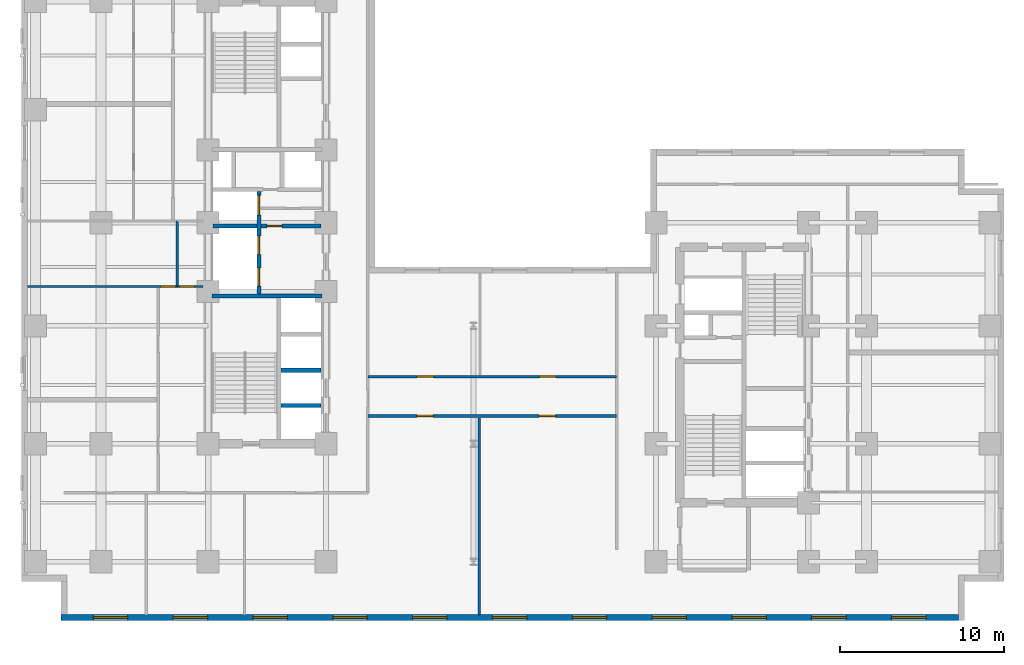
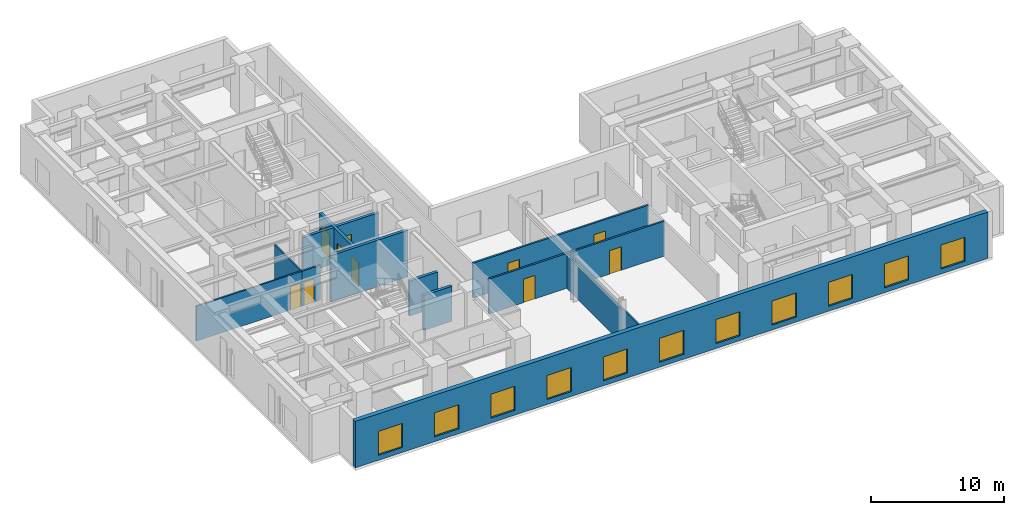
# One storey, part 3 of 9: 12 walls, 11 windows, 10 doors, 21 openings.
"""IFC4 building model written with IfcOpenShell, lengths in metres."""

from ifc_helpers import new_model, entity, si_unit, converted_unit, direction, frame, origin_with_axes, origin_2d_with_axis, place, context, subcontext, project, spatial, polyline, rectangle, outline, extrude, material, layer, layer_set, type_object, element, fill, save


model = new_model("IFC4")

# Units and contexts
model_context = context("Model", 3, precision=1e-05, world=origin_with_axes(), true_north=direction((0.0, 1.0)))
body_context = subcontext(model_context, "Body", "Model", "MODEL_VIEW")
ifc_project = project(units=[si_unit("LENGTHUNIT", "METRE"), si_unit("AREAUNIT", "SQUARE_METRE"), si_unit("VOLUMEUNIT", "CUBIC_METRE"), converted_unit("PLANEANGLEUNIT", "DEGREE", entity("IfcPlaneAngleMeasure", 0.017453292519943295), si_unit("PLANEANGLEUNIT", "RADIAN"), dimensions=[0, 0, 0, 0, 0, 0, 0]), si_unit("MASSUNIT", "GRAM", prefix="KILO"), si_unit("THERMODYNAMICTEMPERATUREUNIT", "KELVIN")], contexts=[model_context])

# Site, building, storey
site_placement = place(None, origin_with_axes())
site = spatial("IfcSite", under=ifc_project, at=site_placement, CompositionType="ELEMENT")
building_placement = place(site_placement, origin_with_axes())
building = spatial("IfcBuilding", under=site, at=building_placement, Name="Varnlund Millrace Tower", CompositionType="ELEMENT")
storey_placement = place(building_placement, frame((0.0, 0.0, 84.6), z_axis=(0.0, 0.0, 1.0), x_axis=(1.0, 0.0, 0.0)))
storey = spatial("IfcBuildingStorey", under=building, at=storey_placement, Name="L20", CompositionType="ELEMENT", Elevation=84.6)

# Wall, openings, windows
ifc_material_1 = material(Name="Precast concrete C50/60", Category="concrete")
ifc_layer_1 = layer(ifc_material_1, 0.38, Name="Precast concrete C50/60")
ifc_layer_set_1 = layer_set([ifc_layer_1], Name="Precast concrete C50/60")
wall_type_1 = type_object("IfcWallType", Name="Type-ExtWall-Precast-Tube-380", PredefinedType="SOLIDWALL", material=ifc_layer_set_1)
wall_1_placement = place(storey_placement, frame((57.22, 0.19, 0.0), z_axis=(0.0, 0.0, 1.0), x_axis=(-1.0, 0.0, 0.0)))
wall_1 = element("IfcWall", 1, at=wall_1_placement, inside=storey, type_object=wall_type_1, Name="Type-ExtWall-Precast-Tube-380", PredefinedType="SOLIDWALL", context=body_context, shape_type="SweptSolid", body=[
    extrude(outline(polyline([(0.0, -0.19), (54.82, -0.19), (54.82, 0.19), (0.0, 0.19), (0.0, -0.19)])), origin_with_axes(), (0.0, 0.0, 1.0), 4.26),
])
opening_1_placement = place(wall_1_placement, frame((3.037, 0.0, 0.45), z_axis=(0.0, 0.0, 1.0), x_axis=(1.0, 0.0, 0.0)))
opening_1 = element("IfcOpeningElement", 2, at=opening_1_placement, cuts=wall_1, Name="Opening L20:WN-06", PredefinedType="OPENING", context=body_context, shape_type="SweptSolid", body=[
    extrude(rectangle(XDim=2.1, YDim=0.4, at=origin_2d_with_axis()), origin_with_axes(), (0.0, 0.0, 1.0), 2.2),
])
opening_2_placement = place(wall_1_placement, frame((7.912, 0.0, 0.45), z_axis=(0.0, 0.0, 1.0), x_axis=(1.0, 0.0, 0.0)))
opening_2 = element("IfcOpeningElement", 3, at=opening_2_placement, cuts=wall_1, Name="Opening L20:WN-07", PredefinedType="OPENING", context=body_context, shape_type="SweptSolid", body=[
    extrude(rectangle(XDim=2.1, YDim=0.4, at=origin_2d_with_axis()), origin_with_axes(), (0.0, 0.0, 1.0), 2.2),
])
opening_3_placement = place(wall_1_placement, frame((12.786, 0.0, 0.45), z_axis=(0.0, 0.0, 1.0), x_axis=(1.0, 0.0, 0.0)))
opening_3 = element("IfcOpeningElement", 4, at=opening_3_placement, cuts=wall_1, Name="Opening L20:WN-08", PredefinedType="OPENING", context=body_context, shape_type="SweptSolid", body=[
    extrude(rectangle(XDim=2.1, YDim=0.4, at=origin_2d_with_axis()), origin_with_axes(), (0.0, 0.0, 1.0), 2.2),
])
opening_4_placement = place(wall_1_placement, frame((17.661, 0.0, 0.45), z_axis=(0.0, 0.0, 1.0), x_axis=(1.0, 0.0, 0.0)))
opening_4 = element("IfcOpeningElement", 5, at=opening_4_placement, cuts=wall_1, Name="Opening L20:WN-09", PredefinedType="OPENING", context=body_context, shape_type="SweptSolid", body=[
    extrude(rectangle(XDim=2.1, YDim=0.4, at=origin_2d_with_axis()), origin_with_axes(), (0.0, 0.0, 1.0), 2.2),
])
opening_5_placement = place(wall_1_placement, frame((22.535, 0.0, 0.45), z_axis=(0.0, 0.0, 1.0), x_axis=(1.0, 0.0, 0.0)))
opening_5 = element("IfcOpeningElement", 6, at=opening_5_placement, cuts=wall_1, Name="Opening L20:WN-10", PredefinedType="OPENING", context=body_context, shape_type="SweptSolid", body=[
    extrude(rectangle(XDim=2.1, YDim=0.4, at=origin_2d_with_axis()), origin_with_axes(), (0.0, 0.0, 1.0), 2.2),
])
opening_6_placement = place(wall_1_placement, frame((27.41, 0.0, 0.45), z_axis=(0.0, 0.0, 1.0), x_axis=(1.0, 0.0, 0.0)))
opening_6 = element("IfcOpeningElement", 7, at=opening_6_placement, cuts=wall_1, Name="Opening L20:WN-11", PredefinedType="OPENING", context=body_context, shape_type="SweptSolid", body=[
    extrude(rectangle(XDim=2.1, YDim=0.4, at=origin_2d_with_axis()), origin_with_axes(), (0.0, 0.0, 1.0), 2.2),
])
opening_7_placement = place(wall_1_placement, frame((32.285, 0.0, 0.45), z_axis=(0.0, 0.0, 1.0), x_axis=(1.0, 0.0, 0.0)))
opening_7 = element("IfcOpeningElement", 8, at=opening_7_placement, cuts=wall_1, Name="Opening L20:WN-12", PredefinedType="OPENING", context=body_context, shape_type="SweptSolid", body=[
    extrude(rectangle(XDim=2.1, YDim=0.4, at=origin_2d_with_axis()), origin_with_axes(), (0.0, 0.0, 1.0), 2.2),
])
opening_8_placement = place(wall_1_placement, frame((37.159, 0.0, 0.45), z_axis=(0.0, 0.0, 1.0), x_axis=(1.0, 0.0, 0.0)))
opening_8 = element("IfcOpeningElement", 9, at=opening_8_placement, cuts=wall_1, Name="Opening L20:WN-13", PredefinedType="OPENING", context=body_context, shape_type="SweptSolid", body=[
    extrude(rectangle(XDim=2.1, YDim=0.4, at=origin_2d_with_axis()), origin_with_axes(), (0.0, 0.0, 1.0), 2.2),
])
opening_9_placement = place(wall_1_placement, frame((42.034, 0.0, 0.45), z_axis=(0.0, 0.0, 1.0), x_axis=(1.0, 0.0, 0.0)))
opening_9 = element("IfcOpeningElement", 10, at=opening_9_placement, cuts=wall_1, Name="Opening L20:WN-14", PredefinedType="OPENING", context=body_context, shape_type="SweptSolid", body=[
    extrude(rectangle(XDim=2.1, YDim=0.4, at=origin_2d_with_axis()), origin_with_axes(), (0.0, 0.0, 1.0), 2.2),
])
opening_10_placement = place(wall_1_placement, frame((46.908, 0.0, 0.45), z_axis=(0.0, 0.0, 1.0), x_axis=(1.0, 0.0, 0.0)))
opening_10 = element("IfcOpeningElement", 11, at=opening_10_placement, cuts=wall_1, Name="Opening L20:WN-15", PredefinedType="OPENING", context=body_context, shape_type="SweptSolid", body=[
    extrude(rectangle(XDim=2.1, YDim=0.4, at=origin_2d_with_axis()), origin_with_axes(), (0.0, 0.0, 1.0), 2.2),
])
opening_11_placement = place(wall_1_placement, frame((51.783, 0.0, 0.45), z_axis=(0.0, 0.0, 1.0), x_axis=(1.0, 0.0, 0.0)))
opening_11 = element("IfcOpeningElement", 12, at=opening_11_placement, cuts=wall_1, Name="Opening L20:WN-16", PredefinedType="OPENING", context=body_context, shape_type="SweptSolid", body=[
    extrude(rectangle(XDim=2.1, YDim=0.4, at=origin_2d_with_axis()), origin_with_axes(), (0.0, 0.0, 1.0), 2.2),
])
ifc_material_2 = material(Name="Argon low-e triple glazing in thermally broken bronze frame", Category="glass")
window_type = type_object("IfcWindowType", Name="Type-Window-Punched-2100X2200", PartitioningType="SINGLE_PANEL", PredefinedType="WINDOW", material=ifc_material_2)
window_1_placement = place(wall_1_placement, frame((3.037, 0.0, 0.45), z_axis=(0.0, 0.0, 1.0), x_axis=(1.0, 0.0, 0.0)))
window_1 = element("IfcWindow", 13, at=window_1_placement, inside=storey, type_object=window_type, Name="Type-Window-Punched-2100X2200", OverallHeight=2.2, OverallWidth=2.1, PredefinedType="WINDOW", context=body_context, shape_type="SweptSolid", body=[
    extrude(rectangle(XDim=2.1, YDim=0.09, at=origin_2d_with_axis()), origin_with_axes(), (0.0, 0.0, 1.0), 2.2),
])
fill(opening_1, window_1)
window_2_placement = place(wall_1_placement, frame((7.912, 0.0, 0.45), z_axis=(0.0, 0.0, 1.0), x_axis=(1.0, 0.0, 0.0)))
window_2 = element("IfcWindow", 14, at=window_2_placement, inside=storey, type_object=window_type, Name="Type-Window-Punched-2100X2200", OverallHeight=2.2, OverallWidth=2.1, PredefinedType="WINDOW", context=body_context, shape_type="SweptSolid", body=[
    extrude(rectangle(XDim=2.1, YDim=0.09, at=origin_2d_with_axis()), origin_with_axes(), (0.0, 0.0, 1.0), 2.2),
])
fill(opening_2, window_2)
window_3_placement = place(wall_1_placement, frame((12.786, 0.0, 0.45), z_axis=(0.0, 0.0, 1.0), x_axis=(1.0, 0.0, 0.0)))
window_3 = element("IfcWindow", 15, at=window_3_placement, inside=storey, type_object=window_type, Name="Type-Window-Punched-2100X2200", OverallHeight=2.2, OverallWidth=2.1, PredefinedType="WINDOW", context=body_context, shape_type="SweptSolid", body=[
    extrude(rectangle(XDim=2.1, YDim=0.09, at=origin_2d_with_axis()), origin_with_axes(), (0.0, 0.0, 1.0), 2.2),
])
fill(opening_3, window_3)
window_4_placement = place(wall_1_placement, frame((17.661, 0.0, 0.45), z_axis=(0.0, 0.0, 1.0), x_axis=(1.0, 0.0, 0.0)))
window_4 = element("IfcWindow", 16, at=window_4_placement, inside=storey, type_object=window_type, Name="Type-Window-Punched-2100X2200", OverallHeight=2.2, OverallWidth=2.1, PredefinedType="WINDOW", context=body_context, shape_type="SweptSolid", body=[
    extrude(rectangle(XDim=2.1, YDim=0.09, at=origin_2d_with_axis()), origin_with_axes(), (0.0, 0.0, 1.0), 2.2),
])
fill(opening_4, window_4)
window_5_placement = place(wall_1_placement, frame((22.535, 0.0, 0.45), z_axis=(0.0, 0.0, 1.0), x_axis=(1.0, 0.0, 0.0)))
window_5 = element("IfcWindow", 17, at=window_5_placement, inside=storey, type_object=window_type, Name="Type-Window-Punched-2100X2200", OverallHeight=2.2, OverallWidth=2.1, PredefinedType="WINDOW", context=body_context, shape_type="SweptSolid", body=[
    extrude(rectangle(XDim=2.1, YDim=0.09, at=origin_2d_with_axis()), origin_with_axes(), (0.0, 0.0, 1.0), 2.2),
])
fill(opening_5, window_5)
window_6_placement = place(wall_1_placement, frame((27.41, 0.0, 0.45), z_axis=(0.0, 0.0, 1.0), x_axis=(1.0, 0.0, 0.0)))
window_6 = element("IfcWindow", 18, at=window_6_placement, inside=storey, type_object=window_type, Name="Type-Window-Punched-2100X2200", OverallHeight=2.2, OverallWidth=2.1, PredefinedType="WINDOW", context=body_context, shape_type="SweptSolid", body=[
    extrude(rectangle(XDim=2.1, YDim=0.09, at=origin_2d_with_axis()), origin_with_axes(), (0.0, 0.0, 1.0), 2.2),
])
fill(opening_6, window_6)
window_7_placement = place(wall_1_placement, frame((32.285, 0.0, 0.45), z_axis=(0.0, 0.0, 1.0), x_axis=(1.0, 0.0, 0.0)))
window_7 = element("IfcWindow", 19, at=window_7_placement, inside=storey, type_object=window_type, Name="Type-Window-Punched-2100X2200", OverallHeight=2.2, OverallWidth=2.1, PredefinedType="WINDOW", context=body_context, shape_type="SweptSolid", body=[
    extrude(rectangle(XDim=2.1, YDim=0.09, at=origin_2d_with_axis()), origin_with_axes(), (0.0, 0.0, 1.0), 2.2),
])
fill(opening_7, window_7)
window_8_placement = place(wall_1_placement, frame((37.159, 0.0, 0.45), z_axis=(0.0, 0.0, 1.0), x_axis=(1.0, 0.0, 0.0)))
window_8 = element("IfcWindow", 20, at=window_8_placement, inside=storey, type_object=window_type, Name="Type-Window-Punched-2100X2200", OverallHeight=2.2, OverallWidth=2.1, PredefinedType="WINDOW", context=body_context, shape_type="SweptSolid", body=[
    extrude(rectangle(XDim=2.1, YDim=0.09, at=origin_2d_with_axis()), origin_with_axes(), (0.0, 0.0, 1.0), 2.2),
])
fill(opening_8, window_8)
window_9_placement = place(wall_1_placement, frame((42.034, 0.0, 0.45), z_axis=(0.0, 0.0, 1.0), x_axis=(1.0, 0.0, 0.0)))
window_9 = element("IfcWindow", 21, at=window_9_placement, inside=storey, type_object=window_type, Name="Type-Window-Punched-2100X2200", OverallHeight=2.2, OverallWidth=2.1, PredefinedType="WINDOW", context=body_context, shape_type="SweptSolid", body=[
    extrude(rectangle(XDim=2.1, YDim=0.09, at=origin_2d_with_axis()), origin_with_axes(), (0.0, 0.0, 1.0), 2.2),
])
fill(opening_9, window_9)
window_10_placement = place(wall_1_placement, frame((46.908, 0.0, 0.45), z_axis=(0.0, 0.0, 1.0), x_axis=(1.0, 0.0, 0.0)))
window_10 = element("IfcWindow", 22, at=window_10_placement, inside=storey, type_object=window_type, Name="Type-Window-Punched-2100X2200", OverallHeight=2.2, OverallWidth=2.1, PredefinedType="WINDOW", context=body_context, shape_type="SweptSolid", body=[
    extrude(rectangle(XDim=2.1, YDim=0.09, at=origin_2d_with_axis()), origin_with_axes(), (0.0, 0.0, 1.0), 2.2),
])
fill(opening_10, window_10)
window_11_placement = place(wall_1_placement, frame((51.783, 0.0, 0.45), z_axis=(0.0, 0.0, 1.0), x_axis=(1.0, 0.0, 0.0)))
window_11 = element("IfcWindow", 23, at=window_11_placement, inside=storey, type_object=window_type, Name="Type-Window-Punched-2100X2200", OverallHeight=2.2, OverallWidth=2.1, PredefinedType="WINDOW", context=body_context, shape_type="SweptSolid", body=[
    extrude(rectangle(XDim=2.1, YDim=0.09, at=origin_2d_with_axis()), origin_with_axes(), (0.0, 0.0, 1.0), 2.2),
])
fill(opening_11, window_11)

# Wall, openings, doors
ifc_material_3 = material(Name="Fire-rated gypsum board on cold-formed steel framing", Category="steel")
ifc_layer_2 = layer(ifc_material_3, 0.16, Name="Fire-rated gypsum board on cold-formed steel framing")
ifc_layer_set_2 = layer_set([ifc_layer_2], Name="Fire-rated gypsum board on cold-formed steel framing")
wall_type_2 = type_object("IfcWallType", Name="Type-Partition-Corridor-160", PredefinedType="PARTITIONING", material=ifc_layer_set_2)
wall_2_placement = place(storey_placement, frame((21.15, 12.5, 0.0), z_axis=(0.0, 0.0, 1.0), x_axis=(1.0, 0.0, 0.0)))
wall_2 = element("IfcWall", 24, at=wall_2_placement, inside=storey, type_object=wall_type_2, Name="Type-Partition-Corridor-160", PredefinedType="PARTITIONING", context=body_context, shape_type="SweptSolid", body=[
    extrude(outline(polyline([(0.0, -0.08), (15.2, -0.08), (15.2, 0.08), (0.0, 0.08), (0.0, -0.08)])), origin_with_axes(), (0.0, 0.0, 1.0), 3.2),
])
opening_12_placement = place(wall_2_placement, frame((3.4915, 0.0, 0.0), z_axis=(0.0, 0.0, 1.0), x_axis=(1.0, 0.0, 0.0)))
opening_12 = element("IfcOpeningElement", 25, at=opening_12_placement, cuts=wall_2, Name="Opening L20:DR-KNS-01", PredefinedType="OPENING", context=body_context, shape_type="SweptSolid", body=[
    extrude(rectangle(XDim=1.0, YDim=0.18, at=origin_2d_with_axis()), origin_with_axes(), (0.0, 0.0, 1.0), 2.15),
])
opening_13_placement = place(wall_2_placement, frame((10.9615, 0.0, 0.0), z_axis=(0.0, 0.0, 1.0), x_axis=(1.0, 0.0, 0.0)))
opening_13 = element("IfcOpeningElement", 26, at=opening_13_placement, cuts=wall_2, Name="Opening L20:DR-KNS-02", PredefinedType="OPENING", context=body_context, shape_type="SweptSolid", body=[
    extrude(rectangle(XDim=1.0, YDim=0.18, at=origin_2d_with_axis()), origin_with_axes(), (0.0, 0.0, 1.0), 2.15),
])
ifc_material_4 = material(Name="Solid-core white oak and bronze frame door")
door_type_1 = type_object("IfcDoorType", Name="Type-IntDoor-Office-1000X2150", OperationType="NOTDEFINED", PredefinedType="DOOR", material=ifc_material_4)
door_1_placement = place(wall_2_placement, frame((3.4915, 0.0, 0.0), z_axis=(0.0, 0.0, 1.0), x_axis=(1.0, 0.0, 0.0)))
door_1 = element("IfcDoor", 27, at=door_1_placement, inside=storey, type_object=door_type_1, Name="Type-IntDoor-Office-1000X2150", OperationType="SINGLE_SWING_LEFT", OverallHeight=2.15, OverallWidth=1.0, PredefinedType="DOOR", context=body_context, shape_type="SweptSolid", body=[
    extrude(rectangle(XDim=1.0, YDim=0.09, at=origin_2d_with_axis()), origin_with_axes(), (0.0, 0.0, 1.0), 2.15),
])
fill(opening_12, door_1)
door_2_placement = place(wall_2_placement, frame((10.9615, 0.0, 0.0), z_axis=(0.0, 0.0, 1.0), x_axis=(1.0, 0.0, 0.0)))
door_2 = element("IfcDoor", 28, at=door_2_placement, inside=storey, type_object=door_type_1, Name="Type-IntDoor-Office-1000X2150", OperationType="SINGLE_SWING_RIGHT", OverallHeight=2.15, OverallWidth=1.0, PredefinedType="DOOR", context=body_context, shape_type="SweptSolid", body=[
    extrude(rectangle(XDim=1.0, YDim=0.09, at=origin_2d_with_axis()), origin_with_axes(), (0.0, 0.0, 1.0), 2.15),
])
fill(opening_13, door_2)

wall_3_placement = place(storey_placement, frame((21.15, 14.9, 0.0), z_axis=(0.0, 0.0, 1.0), x_axis=(1.0, 0.0, 0.0)))
wall_3 = element("IfcWall", 29, at=wall_3_placement, inside=storey, type_object=wall_type_2, Name="Type-Partition-Corridor-160", PredefinedType="PARTITIONING", context=body_context, shape_type="SweptSolid", body=[
    extrude(outline(polyline([(0.0, -0.08), (15.2, -0.08), (15.2, 0.08), (0.0, 0.08), (0.0, -0.08)])), origin_with_axes(), (0.0, 0.0, 1.0), 3.2),
])
opening_14_placement = place(wall_3_placement, frame((3.5155, 0.0, 0.0), z_axis=(0.0, 0.0, 1.0), x_axis=(1.0, 0.0, 0.0)))
opening_14 = element("IfcOpeningElement", 30, at=opening_14_placement, cuts=wall_3, Name="Opening L20:DR-KN-01", PredefinedType="OPENING", context=body_context, shape_type="SweptSolid", body=[
    extrude(rectangle(XDim=1.0, YDim=0.18, at=origin_2d_with_axis()), origin_with_axes(), (0.0, 0.0, 1.0), 2.15),
])
opening_15_placement = place(wall_3_placement, frame((10.9855, 0.0, 0.0), z_axis=(0.0, 0.0, 1.0), x_axis=(1.0, 0.0, 0.0)))
opening_15 = element("IfcOpeningElement", 31, at=opening_15_placement, cuts=wall_3, Name="Opening L20:DR-KN-02", PredefinedType="OPENING", context=body_context, shape_type="SweptSolid", body=[
    extrude(rectangle(XDim=1.0, YDim=0.18, at=origin_2d_with_axis()), origin_with_axes(), (0.0, 0.0, 1.0), 2.15),
])
door_3_placement = place(wall_3_placement, frame((3.5155, 0.0, 0.0), z_axis=(0.0, 0.0, 1.0), x_axis=(1.0, 0.0, 0.0)))
door_3 = element("IfcDoor", 32, at=door_3_placement, inside=storey, type_object=door_type_1, Name="Type-IntDoor-Office-1000X2150", OperationType="SINGLE_SWING_LEFT", OverallHeight=2.15, OverallWidth=1.0, PredefinedType="DOOR", context=body_context, shape_type="SweptSolid", body=[
    extrude(rectangle(XDim=1.0, YDim=0.09, at=origin_2d_with_axis()), origin_with_axes(), (0.0, 0.0, 1.0), 2.15),
])
fill(opening_14, door_3)
door_4_placement = place(wall_3_placement, frame((10.9855, 0.0, 0.0), z_axis=(0.0, 0.0, 1.0), x_axis=(1.0, 0.0, 0.0)))
door_4 = element("IfcDoor", 33, at=door_4_placement, inside=storey, type_object=door_type_1, Name="Type-IntDoor-Office-1000X2150", OperationType="SINGLE_SWING_RIGHT", OverallHeight=2.15, OverallWidth=1.0, PredefinedType="DOOR", context=body_context, shape_type="SweptSolid", body=[
    extrude(rectangle(XDim=1.0, YDim=0.09, at=origin_2d_with_axis()), origin_with_axes(), (0.0, 0.0, 1.0), 2.15),
])
fill(opening_15, door_4)

# Walls
ifc_material_5 = material(Name="Acoustic STC-50 gypsum board partition", Category="gypsum")
ifc_layer_3 = layer(ifc_material_5, 0.15, Name="Acoustic STC-50 gypsum board partition")
ifc_layer_set_3 = layer_set([ifc_layer_3], Name="Acoustic STC-50 gypsum board partition")
wall_type_3 = type_object("IfcWallType", Name="Type-Partition-Demising-150", PredefinedType="PARTITIONING", material=ifc_layer_set_3)
wall_4_placement = place(storey_placement, frame((27.953, 0.36, 0.0), z_axis=(0.0, 0.0, 1.0), x_axis=(0.0, 1.0, 0.0)))
element("IfcWall", 34, at=wall_4_placement, inside=storey, type_object=wall_type_3, Name="Type-Partition-Demising-150", PredefinedType="PARTITIONING", context=body_context, shape_type="SweptSolid", body=[
    extrude(outline(polyline([(0.0, -0.075), (12.02, -0.075), (12.02, 0.075), (0.0, 0.075), (0.0, -0.075)])), origin_with_axes(), (0.0, 0.0, 1.0), 3.2),
])
ifc_material_6 = material(Name="Moisture-resistant gypsum restroom partition", Category="gypsum")
ifc_layer_4 = layer(ifc_material_6, 0.14, Name="Moisture-resistant gypsum restroom partition")
ifc_layer_set_4 = layer_set([ifc_layer_4], Name="Moisture-resistant gypsum restroom partition")
wall_type_4 = type_object("IfcWallType", Name="Type-Partition-Wet-140", PredefinedType="PARTITIONING", material=ifc_layer_set_4)
wall_5_placement = place(storey_placement, frame((9.52, 20.4, 0.0), z_axis=(0.0, 0.0, 1.0), x_axis=(0.0, 1.0, 0.0)))
element("IfcWall", 35, at=wall_5_placement, inside=storey, type_object=wall_type_4, Name="Type-Partition-Wet-140", PredefinedType="PARTITIONING", context=body_context, shape_type="SweptSolid", body=[
    extrude(outline(polyline([(0.0, -0.07), (4.0, -0.07), (4.0, 0.07), (0.0, 0.07), (0.0, -0.07)])), origin_with_axes(), (0.0, 0.0, 1.0), 3.2),
])

# Wall, opening, door
wall_6_placement = place(storey_placement, frame((9.52, 20.4, 0.0), z_axis=(0.0, 0.0, 1.0), x_axis=(1.0, 0.0, 0.0)))
wall_6 = element("IfcWall", 36, at=wall_6_placement, inside=storey, type_object=wall_type_4, Name="Type-Partition-Wet-140", PredefinedType="PARTITIONING", context=body_context, shape_type="SweptSolid", body=[
    extrude(outline(polyline([(0.0, -0.07), (1.58, -0.07), (1.58, 0.07), (0.0, 0.07), (0.0, -0.07)])), origin_with_axes(), (0.0, 0.0, 1.0), 3.2),
])
opening_16_placement = place(wall_6_placement, frame((0.59, 0.0, 0.0), z_axis=(0.0, 0.0, 1.0), x_axis=(1.0, 0.0, 0.0)))
opening_16 = element("IfcOpeningElement", 37, at=opening_16_placement, cuts=wall_6, Name="Opening L20:DR-CA-WCW", PredefinedType="OPENING", context=body_context, shape_type="SweptSolid", body=[
    extrude(rectangle(XDim=0.9, YDim=0.16, at=origin_2d_with_axis()), origin_with_axes(), (0.0, 0.0, 1.0), 2.15),
])
ifc_material_7 = material(Name="Painted steel riser and closet door", Category="steel")
door_type_2 = type_object("IfcDoorType", Name="Type-IntDoor-Closet-900X2150", OperationType="NOTDEFINED", PredefinedType="DOOR", material=ifc_material_7)
door_5_placement = place(wall_6_placement, frame((0.59, 0.0, 0.0), z_axis=(0.0, 0.0, 1.0), x_axis=(1.0, 0.0, 0.0)))
door_5 = element("IfcDoor", 38, at=door_5_placement, inside=storey, type_object=door_type_2, Name="Type-IntDoor-Closet-900X2150", OperationType="SINGLE_SWING_LEFT", OverallHeight=2.15, OverallWidth=0.9, PredefinedType="DOOR", context=body_context, shape_type="SweptSolid", body=[
    extrude(rectangle(XDim=0.9, YDim=0.084, at=origin_2d_with_axis()), origin_with_axes(), (0.0, 0.0, 1.0), 2.15),
])
fill(opening_16, door_5)

wall_7_placement = place(storey_placement, frame((0.36, 20.4, 0.0), z_axis=(0.0, 0.0, 1.0), x_axis=(1.0, 0.0, 0.0)))
wall_7 = element("IfcWall", 39, at=wall_7_placement, inside=storey, type_object=wall_type_4, Name="Type-Partition-Wet-140", PredefinedType="PARTITIONING", context=body_context, shape_type="SweptSolid", body=[
    extrude(outline(polyline([(0.0, -0.07), (9.16, -0.07), (9.16, 0.07), (0.0, 0.07), (0.0, -0.07)])), origin_with_axes(), (0.0, 0.0, 1.0), 3.2),
])
opening_17_placement = place(wall_7_placement, frame((8.59, 0.0, 0.0), z_axis=(0.0, 0.0, 1.0), x_axis=(1.0, 0.0, 0.0)))
opening_17 = element("IfcOpeningElement", 40, at=opening_17_placement, cuts=wall_7, Name="Opening L20:DR-W-MIDR", PredefinedType="OPENING", context=body_context, shape_type="SweptSolid", body=[
    extrude(rectangle(XDim=0.9, YDim=0.16, at=origin_2d_with_axis()), origin_with_axes(), (0.0, 0.0, 1.0), 2.15),
])
door_6_placement = place(wall_7_placement, frame((8.59, 0.0, 0.0), z_axis=(0.0, 0.0, 1.0), x_axis=(1.0, 0.0, 0.0)))
door_6 = element("IfcDoor", 41, at=door_6_placement, inside=storey, type_object=door_type_2, Name="Type-IntDoor-Closet-900X2150", OperationType="SINGLE_SWING_LEFT", OverallHeight=2.15, OverallWidth=0.9, PredefinedType="DOOR", context=body_context, shape_type="SweptSolid", body=[
    extrude(rectangle(XDim=0.9, YDim=0.084, at=origin_2d_with_axis()), origin_with_axes(), (0.0, 0.0, 1.0), 2.15),
])
fill(opening_17, door_6)

# Wall, openings, doors
ifc_material_8 = material(Name="Concrete C60/75", Category="concrete")
ifc_layer_5 = layer(ifc_material_8, 0.25, Name="Concrete C60/75")
ifc_layer_set_5 = layer_set([ifc_layer_5], Name="Concrete C60/75")
wall_type_5 = type_object("IfcWallType", Name="Type-ShaftWall-Fire-250", PredefinedType="SOLIDWALL", material=ifc_layer_set_5)
wall_8_placement = place(storey_placement, frame((14.5, 19.95, 0.0), z_axis=(0.0, 0.0, 1.0), x_axis=(0.0, 1.0, 0.0)))
wall_8 = element("IfcWall", 42, at=wall_8_placement, inside=storey, type_object=wall_type_5, Name="Type-ShaftWall-Fire-250", PredefinedType="SOLIDWALL", context=body_context, shape_type="SweptSolid", body=[
    extrude(outline(polyline([(0.0, -0.125), (6.25, -0.125), (6.25, 0.125), (0.0, 0.125), (0.0, -0.125)])), origin_with_axes(), (0.0, 0.0, 1.0), 3.3),
])
opening_18_placement = place(wall_8_placement, frame((1.025, 0.0, 0.0), z_axis=(0.0, 0.0, 1.0), x_axis=(1.0, 0.0, 0.0)))
opening_18 = element("IfcOpeningElement", 43, at=opening_18_placement, cuts=wall_8, Name="Opening L20:LD-FSAE1", PredefinedType="OPENING", context=body_context, shape_type="SweptSolid", body=[
    extrude(rectangle(XDim=1.1, YDim=0.27, at=origin_2d_with_axis()), origin_with_axes(), (0.0, 0.0, 1.0), 2.15),
])
opening_19_placement = place(wall_8_placement, frame((2.975, 0.0, 0.0), z_axis=(0.0, 0.0, 1.0), x_axis=(1.0, 0.0, 0.0)))
opening_19 = element("IfcOpeningElement", 44, at=opening_19_placement, cuts=wall_8, Name="Opening L20:LD-FSAE2", PredefinedType="OPENING", context=body_context, shape_type="SweptSolid", body=[
    extrude(rectangle(XDim=1.1, YDim=0.27, at=origin_2d_with_axis()), origin_with_axes(), (0.0, 0.0, 1.0), 2.15),
])
opening_20_placement = place(wall_8_placement, frame((5.425, 0.0, 0.0), z_axis=(0.0, 0.0, 1.0), x_axis=(1.0, 0.0, 0.0)))
opening_20 = element("IfcOpeningElement", 45, at=opening_20_placement, cuts=wall_8, Name="Opening L20:LD-SRV1", PredefinedType="OPENING", context=body_context, shape_type="SweptSolid", body=[
    extrude(rectangle(XDim=1.2, YDim=0.27, at=origin_2d_with_axis()), origin_with_axes(), (0.0, 0.0, 1.0), 2.15),
])
ifc_material_9 = material(Name="Stainless and architectural bronze sliding landing door")
door_type_3 = type_object("IfcDoorType", Name="Type-LiftLandingDoor-1100X2150", OperationType="NOTDEFINED", PredefinedType="DOOR", material=ifc_material_9)
door_7_placement = place(wall_8_placement, frame((1.025, 0.0, 0.0), z_axis=(0.0, 0.0, 1.0), x_axis=(1.0, 0.0, 0.0)))
door_7 = element("IfcDoor", 46, at=door_7_placement, inside=storey, type_object=door_type_3, Name="Type-LiftLandingDoor-1100X2150", OperationType="SLIDING_TO_LEFT", OverallHeight=2.15, OverallWidth=1.1, PredefinedType="DOOR", context=body_context, shape_type="SweptSolid", body=[
    extrude(rectangle(XDim=1.1, YDim=0.09, at=origin_2d_with_axis()), origin_with_axes(), (0.0, 0.0, 1.0), 2.15),
])
fill(opening_18, door_7)
door_8_placement = place(wall_8_placement, frame((2.975, 0.0, 0.0), z_axis=(0.0, 0.0, 1.0), x_axis=(1.0, 0.0, 0.0)))
door_8 = element("IfcDoor", 47, at=door_8_placement, inside=storey, type_object=door_type_3, Name="Type-LiftLandingDoor-1100X2150", OperationType="SLIDING_TO_RIGHT", OverallHeight=2.15, OverallWidth=1.1, PredefinedType="DOOR", context=body_context, shape_type="SweptSolid", body=[
    extrude(rectangle(XDim=1.1, YDim=0.09, at=origin_2d_with_axis()), origin_with_axes(), (0.0, 0.0, 1.0), 2.15),
])
fill(opening_19, door_8)
ifc_material_10 = material(Name="Heavy-duty freight sliding landing door")
door_type_4 = type_object("IfcDoorType", Name="Type-LiftLandingDoor-Service-1200X2150", OperationType="NOTDEFINED", PredefinedType="DOOR", material=ifc_material_10)
door_9_placement = place(wall_8_placement, frame((5.425, 0.0, 0.0), z_axis=(0.0, 0.0, 1.0), x_axis=(1.0, 0.0, 0.0)))
door_9 = element("IfcDoor", 48, at=door_9_placement, inside=storey, type_object=door_type_4, Name="Type-LiftLandingDoor-Service-1200X2150", OperationType="DOUBLE_DOOR_SLIDING", OverallHeight=2.15, OverallWidth=1.2, PredefinedType="DOOR", context=body_context, shape_type="SweptSolid", body=[
    extrude(rectangle(XDim=1.2, YDim=0.09, at=origin_2d_with_axis()), origin_with_axes(), (0.0, 0.0, 1.0), 2.15),
])
fill(opening_20, door_9)

# Wall, opening, door
wall_9_placement = place(storey_placement, frame((11.7, 24.1, 0.0), z_axis=(0.0, 0.0, 1.0), x_axis=(1.0, 0.0, 0.0)))
wall_9 = element("IfcWall", 49, at=wall_9_placement, inside=storey, type_object=wall_type_5, Name="Type-ShaftWall-Fire-250", PredefinedType="SOLIDWALL", context=body_context, shape_type="SweptSolid", body=[
    extrude(outline(polyline([(0.0, -0.125), (6.6, -0.125), (6.6, 0.125), (0.0, 0.125), (0.0, -0.125)])), origin_with_axes(), (0.0, 0.0, 1.0), 3.3),
])
opening_21_placement = place(wall_9_placement, frame((3.75, 0.0, 0.0), z_axis=(0.0, 0.0, 1.0), x_axis=(1.0, 0.0, 0.0)))
opening_21 = element("IfcOpeningElement", 50, at=opening_21_placement, cuts=wall_9, Name="Opening L20:DR-CA-SUB1", PredefinedType="OPENING", context=body_context, shape_type="SweptSolid", body=[
    extrude(rectangle(XDim=0.9, YDim=0.27, at=origin_2d_with_axis()), origin_with_axes(), (0.0, 0.0, 1.0), 2.15),
])
ifc_material_11 = material(Name="Fire-rated hollow steel service closet door", Category="steel")
door_type_5 = type_object("IfcDoorType", Name="Type-FireDoor-Closet-900X2150", OperationType="NOTDEFINED", PredefinedType="DOOR", material=ifc_material_11)
door_10_placement = place(wall_9_placement, frame((3.75, 0.0, 0.0), z_axis=(0.0, 0.0, 1.0), x_axis=(1.0, 0.0, 0.0)))
door_10 = element("IfcDoor", 51, at=door_10_placement, inside=storey, type_object=door_type_5, Name="Type-FireDoor-Closet-900X2150", OperationType="SINGLE_SWING_LEFT", OverallHeight=2.15, OverallWidth=0.9, PredefinedType="DOOR", context=body_context, shape_type="SweptSolid", body=[
    extrude(rectangle(XDim=0.9, YDim=0.09, at=origin_2d_with_axis()), origin_with_axes(), (0.0, 0.0, 1.0), 2.15),
])
fill(opening_21, door_10)

# Walls
for number, where, z_axis, x_axis, name in (
    (52, (15.84, 13.13, 0.0), (0.0, 0.0, 1.0), (1.0, 0.0, 0.0), "Type-ShaftWall-Fire-250"),
    (53, (15.84, 15.29, 0.0), (0.0, 0.0, 1.0), (1.0, 0.0, 0.0), "Type-ShaftWall-Fire-250"),
):
    element("IfcWall", number, at=place(storey_placement, frame(where, z_axis=z_axis, x_axis=x_axis)), inside=storey, type_object=wall_type_5, Name=name, PredefinedType="SOLIDWALL", context=body_context, shape_type="SweptSolid", body=[
        extrude(outline(polyline([(0.0, -0.125), (2.46, -0.125), (2.46, 0.125), (0.0, 0.125), (0.0, -0.125)])), origin_with_axes(), (0.0, 0.0, 1.0), 3.2),
    ])
wall_type_6 = type_object("IfcWallType", Name="Type-StairWall-Shear-250", PredefinedType="SHEAR", material=ifc_layer_set_5)
wall_10_placement = place(storey_placement, frame((11.65, 19.825, 0.0), z_axis=(0.0, 0.0, 1.0), x_axis=(1.0, 0.0, 0.0)))
element("IfcWall", 54, at=wall_10_placement, inside=storey, type_object=wall_type_6, Name="Type-StairWall-Shear-250", PredefinedType="SHEAR", context=body_context, shape_type="SweptSolid", body=[
    extrude(outline(polyline([(0.0, -0.125), (6.7, -0.125), (6.7, 0.125), (0.0, 0.125), (0.0, -0.125)])), origin_with_axes(), (0.0, 0.0, 1.0), 4.26),
])

save(model, "model.ifc")
